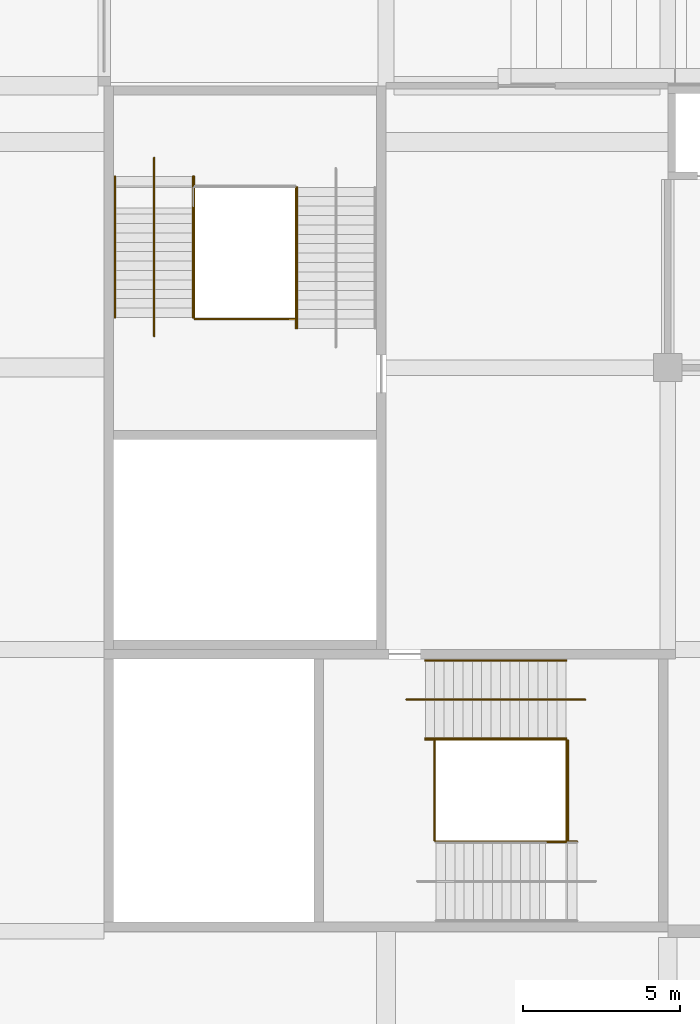
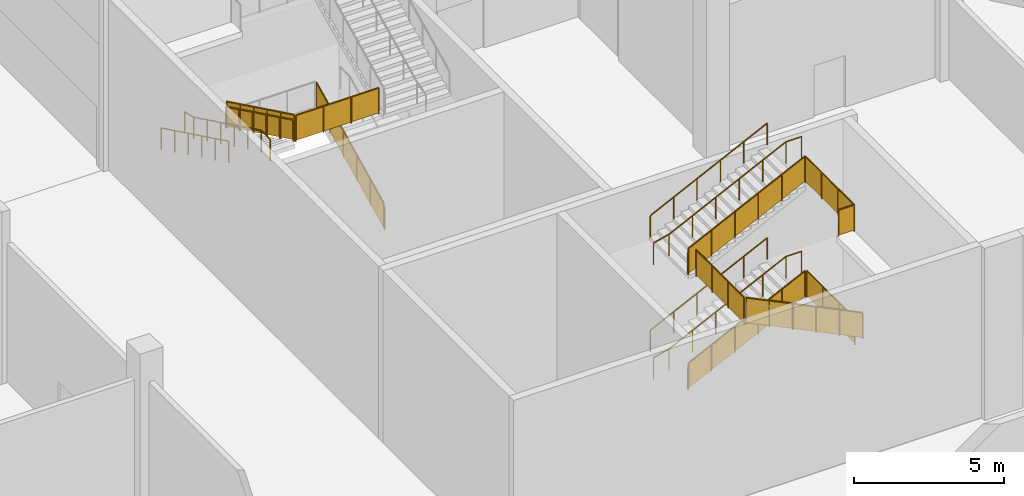
# One storey, part 59 of 92: 19 railings.
"""IFC4 building model written with IfcOpenShell, lengths in metres."""

import ifcopenshell
import ifcopenshell.guid

model = None  # the IFC model being written
_history = None  # IfcOwnerHistory: only IFC2X3 demands one
_inside = {}  # id of a spatial element -> (the spatial element, [elements in it])
_under = {}  # id of a project, library or spatial element -> (it, [spatial elements below it])
_declared = {}  # id of a project -> (the project, [libraries it declares])
_typed = {}  # id of a type object -> (the type object, [elements of that type])
_made_of = {}  # id of a material, layer set ... -> (it, [elements and type objects made of it])


def new_model(schema):
    """Start an empty IFC model of exactly this schema.

    Asked for "IFC4X3", IfcOpenShell would pick the latest addendum, in which some entities
    have other attributes; the version numbers below select the first issue.
    IFC2X3 requires an IfcOwnerHistory on every rooted entity: one is made here for all.
    """
    global model, _history
    if schema == "IFC4X3":
        model = ifcopenshell.file(schema_version=(4, 3, 0, 0))
    else:
        model = ifcopenshell.file(schema=schema)
    _inside.clear()
    _under.clear()
    _declared.clear()
    _typed.clear()
    _made_of.clear()
    _history = None
    if model.schema == "IFC2X3":
        org = make("IfcOrganization", Name="unknown")
        user = make(
            "IfcPersonAndOrganization",
            ThePerson=make("IfcPerson", FamilyName="unknown"),
            TheOrganization=org,
        )
        app = make(
            "IfcApplication",
            ApplicationDeveloper=org,
            Version="unknown",
            ApplicationFullName="unknown",
            ApplicationIdentifier="unknown",
        )
        _history = make(
            "IfcOwnerHistory",
            OwningUser=user,
            OwningApplication=app,
            ChangeAction="ADDED",
            CreationDate=0,
        )
    return model


def make(cls, **values):
    """One entity of the class cls with the attributes given. An attribute that is None is left unset."""
    return model.create_entity(
        cls, **{name: value for name, value in values.items() if value is not None}
    )


def rooted(cls, **values):
    """An entity with a GlobalId (a new one), such as an element, a storey or a relation."""
    return make(cls, GlobalId=ifcopenshell.guid.new(), OwnerHistory=_history, **values)


def si_unit(unit_type, name, prefix=None):
    """IfcSIUnit, for example si_unit("LENGTHUNIT", "METRE", prefix="MILLI")."""
    return make("IfcSIUnit", UnitType=unit_type, Prefix=prefix, Name=name)


def assignment(units):
    """IfcUnitAssignment: the units of a project."""
    return None if units is None else make("IfcUnitAssignment", Units=units)


def point(xyz):
    """IfcCartesianPoint."""
    return None if xyz is None else make("IfcCartesianPoint", Coordinates=xyz)


def direction(xyz):
    """IfcDirection."""
    return None if xyz is None else make("IfcDirection", DirectionRatios=xyz)


def frame(location, z_axis=None, x_axis=None):
    """IfcAxis2Placement3D, a coordinate frame: its origin and axes. An axis left out is left unset."""
    return make(
        "IfcAxis2Placement3D",
        Location=point(location),
        Axis=direction(z_axis),
        RefDirection=direction(x_axis),
    )


def frame_2d(location, x_axis=None):
    """IfcAxis2Placement2D, a coordinate frame in the plane: its origin and x axis."""
    return make(
        "IfcAxis2Placement2D", Location=point(location), RefDirection=direction(x_axis)
    )


def origin():
    """The frame at (0, 0, 0) with its axes left unset."""
    return frame((0.0, 0.0, 0.0))


def origin_2d():
    """The frame at (0, 0) in the plane with its x axis left unset."""
    return frame_2d((0.0, 0.0))


def place(relative_to, where):
    """IfcLocalPlacement: puts the frame where relative to a parent placement (None: the world)."""
    return make(
        "IfcLocalPlacement", PlacementRelTo=relative_to, RelativePlacement=where
    )


def context(
    kind, dimensions, precision=None, world=None, true_north=None, identifier=None
):
    """IfcGeometricRepresentationContext, for example the 3D "Model" context."""
    return make(
        "IfcGeometricRepresentationContext",
        ContextIdentifier=identifier,
        ContextType=kind,
        CoordinateSpaceDimension=dimensions,
        Precision=precision,
        WorldCoordinateSystem=world,
        TrueNorth=true_north,
    )


def subcontext(parent, identifier, kind, view, scale=None):
    """IfcGeometricRepresentationSubContext, for example "Body" below "Model"."""
    return make(
        "IfcGeometricRepresentationSubContext",
        ContextIdentifier=identifier,
        ContextType=kind,
        ParentContext=parent,
        TargetScale=scale,
        TargetView=view,
    )


def project(units=None, contexts=None):
    """IfcProject with its units and contexts."""
    return rooted(
        "IfcProject",
        Name="project",
        RepresentationContexts=contexts,
        UnitsInContext=assignment(units),
    )


def spatial(cls, under=None, at=None, **own):
    """A site, building, storey or space (cls), placed at a placement, below another one or the project."""
    s = rooted(cls, ObjectPlacement=at, **own)
    if under is not None:
        _under.setdefault(under.id(), (under, []))[1].append(s)
    return s


def polyline(points):
    """IfcPolyline through the points."""
    return make("IfcPolyline", Points=[point(p) for p in points])


def profile(cls, at=None, kind="AREA", **sizes):
    """A parametric profile (cls). Its sizes go by their IFC names, for example OverallWidth=200.0."""
    return make(cls, ProfileType=kind, Position=at, **sizes)


def circle(**sizes):
    """IfcCircleProfileDef."""
    return profile("IfcCircleProfileDef", **sizes)


def outline(outer, holes=None, kind="AREA"):
    """IfcArbitraryClosedProfileDef: a profile drawn as a closed curve; with holes, ...WithVoids."""
    if holes is None:
        return make("IfcArbitraryClosedProfileDef", ProfileType=kind, OuterCurve=outer)
    return make(
        "IfcArbitraryProfileDefWithVoids",
        ProfileType=kind,
        OuterCurve=outer,
        InnerCurves=holes,
    )


def extrude(swept, where, along, depth):
    """IfcExtrudedAreaSolid: the profile swept, set in the frame where, extruded along a direction by depth."""
    return make(
        "IfcExtrudedAreaSolid",
        SweptArea=swept,
        Position=where,
        ExtrudedDirection=direction(along),
        Depth=depth,
    )


def shape(context_of_items, identifier, shape_type, items):
    """IfcShapeRepresentation: the items that make up one representation, for example the "Body"."""
    return make(
        "IfcShapeRepresentation",
        ContextOfItems=context_of_items,
        RepresentationIdentifier=identifier,
        RepresentationType=shape_type,
        Items=items,
    )


def material(Name=None, Category=None):
    """IfcMaterial."""
    return make("IfcMaterial", Name=Name, Category=Category)


def made_of(thing, what):
    """Note that an element or type object is made of a material, layer set ...; save() writes the relation."""
    if what is not None:
        _made_of.setdefault(what.id(), (what, []))[1].append(thing)
    return thing


def type_object(cls, material=None, **own):
    """A type object (cls), such as IfcWallType, which elements share."""
    return made_of(rooted(cls, **own), material)


def element(
    cls,
    number,
    at=None,
    inside=None,
    cuts=None,
    type_object=None,
    material=None,
    context=None,
    identifier="Body",
    shape_type=None,
    held_by="IfcProductDefinitionShape",
    body=None,
    shapes=None,
    **own,
):
    """One element of the class cls, such as IfcWall. Its Tag is "e" and its number.

    at: its placement. inside: the storey or other place that contains it. cuts: it is an
    opening in that element (IfcRelVoidsElement). A single representation is given by context,
    identifier, shape_type and body (its items); several are given by shapes. held_by: the class
    of the entity that holds the representations. save() writes the other relations.
    """
    e = rooted(cls, Tag="e%d" % number, ObjectPlacement=at, **own)
    if body is not None:
        shapes = [shape(context, identifier, shape_type, body)]
    if shapes is not None:
        e.Representation = make(held_by, Representations=shapes)
    if inside is not None:
        _inside.setdefault(inside.id(), (inside, []))[1].append(e)
    if cuts is not None:
        rooted(
            "IfcRelVoidsElement", RelatingBuildingElement=cuts, RelatedOpeningElement=e
        )
    if type_object is not None:
        _typed.setdefault(type_object.id(), (type_object, []))[1].append(e)
    return made_of(e, material)


def aggregate(whole, parts):
    """IfcRelAggregates: a whole, such as a stair, and the parts it consists of."""
    return rooted("IfcRelAggregates", RelatingObject=whole, RelatedObjects=parts)


def save(model, path):
    """Write the relations noted so far, then the file.

    IfcRelAggregates (storeys below a building ...), IfcRelContainedInSpatialStructure (elements
    in a storey), IfcRelDefinesByType, IfcRelAssociatesMaterial and IfcRelDeclares: one each for
    every whole, place, type object, material and project.
    """
    for whole, parts in _under.values():
        aggregate(whole, parts)
    for where, things in _inside.values():
        rooted(
            "IfcRelContainedInSpatialStructure",
            RelatedElements=things,
            RelatingStructure=where,
        )
    for kind, things in _typed.values():
        rooted("IfcRelDefinesByType", RelatedObjects=things, RelatingType=kind)
    for what, things in _made_of.values():
        rooted("IfcRelAssociatesMaterial", RelatedObjects=things, RelatingMaterial=what)
    for by, libraries in _declared.values():
        rooted("IfcRelDeclares", RelatingContext=by, RelatedDefinitions=libraries)
    model.write(path)


model = new_model("IFC4")

# Units and contexts
model_context = context("Model", 3, precision=1e-05, world=origin(), true_north=direction((0.0, 1.0)))
body_context = subcontext(model_context, "Body", "Model", "MODEL_VIEW")
ifc_project = project(units=[si_unit("LENGTHUNIT", "METRE"), si_unit("AREAUNIT", "SQUARE_METRE"), si_unit("VOLUMEUNIT", "CUBIC_METRE"), si_unit("PLANEANGLEUNIT", "RADIAN"), si_unit("MASSUNIT", "GRAM", prefix="KILO")], contexts=[model_context])

# Site, building, storey
site_placement = place(None, origin())
site = spatial("IfcSite", under=ifc_project, at=site_placement, CompositionType="ELEMENT")
building_placement = place(site_placement, origin())
building = spatial("IfcBuilding", under=site, at=building_placement, Name="Silverbay Arena", CompositionType="ELEMENT")
storey_placement = place(building_placement, origin())
storey = spatial("IfcBuildingStorey", under=building, at=storey_placement, Name="L00", CompositionType="ELEMENT", Elevation=0.0)

# Railings
ifc_material_1 = material(Name="Stainless steel", Category="steel")
railing_type_1 = type_object("IfcRailingType", Name="Stair guard 1100", PredefinedType="GUARDRAIL", material=ifc_material_1)
railing_1_placement = place(storey_placement, frame((82.2568359375, 42.125, 0.145751953125)))
element("IfcRailing", 1, at=railing_1_placement, inside=storey, type_object=railing_type_1, Name="Stair ST-SW1 L00 to L01 flight 1 guard right", PredefinedType="GUARDRAIL", context=body_context, shape_type="SweptSolid", body=[
    extrude(circle(Radius=0.02392578125, at=origin_2d()), frame((0.0, 0.0, 1.076171875), z_axis=(0.899367854138, 0.0, 0.437192706873), x_axis=(0.0, 1.0, 0.0)), (0.0, 0.0, 1.0), 5.00341796875),
    extrude(outline(polyline([(-0.008056640625, 0.046142578125), (0.907958984375, 0.491455078125), (0.907958984375, 1.494384765625), (-0.008056640625, 1.049072265625), (-0.008056640625, 0.046142578125)])), frame((0.0, 0.0029296875, 0.0), z_axis=(0.0, -1.0, 0.0), x_axis=(1.0, 0.0, 0.0)), (0.0, 0.0, 1.0), 0.006103515625),
    extrude(outline(polyline([(-0.008056640625, 0.483642578125), (0.907958984375, 0.928955078125), (0.907958984375, 1.931884765625), (-0.008056640625, 1.486572265625), (-0.008056640625, 0.483642578125)])), frame((0.89990234375, 0.0029296875, 0.0), z_axis=(0.0, -1.0, 0.0), x_axis=(1.0, 0.0, 0.0)), (0.0, 0.0, 1.0), 0.006103515625),
    extrude(outline(polyline([(-0.008056640625, 0.921142578125), (0.907958984375, 1.366455078125), (0.907958984375, 2.369384765625), (-0.008056640625, 1.924072265625), (-0.008056640625, 0.921142578125)])), frame((1.800048828125, 0.0029296875, 0.0), z_axis=(0.0, -1.0, 0.0), x_axis=(1.0, 0.0, 0.0)), (0.0, 0.0, 1.0), 0.006103515625),
    extrude(outline(polyline([(-0.008056640625, 1.358642578125), (0.907958984375, 1.803955078125), (0.907958984375, 2.806884765625), (-0.008056640625, 2.361572265625), (-0.008056640625, 1.358642578125)])), frame((2.699951171875, 0.0029296875, 0.0), z_axis=(0.0, -1.0, 0.0), x_axis=(1.0, 0.0, 0.0)), (0.0, 0.0, 1.0), 0.006103515625),
    extrude(outline(polyline([(-0.008056640625, 1.796142578125), (0.907958984375, 2.241455078125), (0.907958984375, 3.244384765625), (-0.008056640625, 2.799072265625), (-0.008056640625, 1.796142578125)])), frame((3.60009765625, 0.0029296875, 0.0), z_axis=(0.0, -1.0, 0.0), x_axis=(1.0, 0.0, 0.0)), (0.0, 0.0, 1.0), 0.006103515625),
    extrude(circle(Radius=0.02099609375, at=origin_2d()), origin(), (0.0, 0.0, 1.0), 1.052001953125),
    extrude(circle(Radius=0.02099609375, at=origin_2d()), frame((0.89990234375, 0.0, 0.4375)), (0.0, 0.0, 1.0), 1.052001953125),
    extrude(circle(Radius=0.02099609375, at=origin_2d()), frame((1.800048828125, 0.0, 0.875)), (0.0, 0.0, 1.0), 1.052001953125),
    extrude(circle(Radius=0.02099609375, at=origin_2d()), frame((2.699951171875, 0.0, 1.3125)), (0.0, 0.0, 1.0), 1.052001953125),
    extrude(circle(Radius=0.02099609375, at=origin_2d()), frame((3.60009765625, 0.0, 1.75)), (0.0, 0.0, 1.0), 1.052001953125),
    extrude(circle(Radius=0.02099609375, at=origin_2d()), frame((4.5, 0.0, 2.1875)), (0.0, 0.0, 1.0), 1.052001953125),
])
railing_2_placement = place(storey_placement, frame((87.10009765625, 38.875, 2.479248046875)))
element("IfcRailing", 2, at=railing_2_placement, inside=storey, type_object=railing_type_1, Name="Stair ST-SW1 L00 to L01 flight 2 guard left", PredefinedType="GUARDRAIL", context=body_context, shape_type="SweptSolid", body=[
    extrude(circle(Radius=0.02392578125, at=origin_2d()), frame((0.0, 0.0, 1.076171875), z_axis=(-0.899367854138, 0.0, 0.437192706873), x_axis=(0.0, -1.0, 0.0)), (0.0, 0.0, 1.0), 5.00341796875),
    extrude(outline(polyline([(-0.008056640625, 0.046142578125), (0.907958984375, 0.491455078125), (0.907958984375, 1.494384765625), (-0.008056640625, 1.049072265625), (-0.008056640625, 0.046142578125)])), frame((0.0, -0.0029296875, 0.0), z_axis=(0.0, 1.0, 0.0), x_axis=(-1.0, 0.0, 0.0)), (0.0, 0.0, 1.0), 0.006103515625),
    extrude(outline(polyline([(-0.008056640625, 0.483642578125), (0.907958984375, 0.928955078125), (0.907958984375, 1.931884765625), (-0.008056640625, 1.486572265625), (-0.008056640625, 0.483642578125)])), frame((-0.89990234375, -0.0029296875, 0.0), z_axis=(0.0, 1.0, 0.0), x_axis=(-1.0, 0.0, 0.0)), (0.0, 0.0, 1.0), 0.006103515625),
    extrude(outline(polyline([(-0.008056640625, 0.921142578125), (0.907958984375, 1.366455078125), (0.907958984375, 2.369384765625), (-0.008056640625, 1.924072265625), (-0.008056640625, 0.921142578125)])), frame((-1.800048828125, -0.0029296875, 0.0), z_axis=(0.0, 1.0, 0.0), x_axis=(-1.0, 0.0, 0.0)), (0.0, 0.0, 1.0), 0.006103515625),
    extrude(outline(polyline([(-0.008056640625, 1.358642578125), (0.907958984375, 1.803955078125), (0.907958984375, 2.806884765625), (-0.008056640625, 2.361572265625), (-0.008056640625, 1.358642578125)])), frame((-2.699951171875, -0.0029296875, 0.0), z_axis=(0.0, 1.0, 0.0), x_axis=(-1.0, 0.0, 0.0)), (0.0, 0.0, 1.0), 0.006103515625),
    extrude(outline(polyline([(-0.008056640625, 1.796142578125), (0.907958984375, 2.241455078125), (0.907958984375, 3.244384765625), (-0.008056640625, 2.799072265625), (-0.008056640625, 1.796142578125)])), frame((-3.60009765625, -0.0029296875, 0.0), z_axis=(0.0, 1.0, 0.0), x_axis=(-1.0, 0.0, 0.0)), (0.0, 0.0, 1.0), 0.006103515625),
    extrude(circle(Radius=0.02099609375, at=origin_2d()), origin(), (0.0, 0.0, 1.0), 1.052001953125),
    extrude(circle(Radius=0.02099609375, at=origin_2d()), frame((-0.89990234375, 0.0, 0.4375)), (0.0, 0.0, 1.0), 1.052001953125),
    extrude(circle(Radius=0.02099609375, at=origin_2d()), frame((-1.800048828125, 0.0, 0.875)), (0.0, 0.0, 1.0), 1.052001953125),
    extrude(circle(Radius=0.02099609375, at=origin_2d()), frame((-2.699951171875, 0.0, 1.3125)), (0.0, 0.0, 1.0), 1.052001953125),
    extrude(circle(Radius=0.02099609375, at=origin_2d()), frame((-3.60009765625, 0.0, 1.75)), (0.0, 0.0, 1.0), 1.052001953125),
    extrude(circle(Radius=0.02099609375, at=origin_2d()), frame((-4.5, 0.0, 2.1875)), (0.0, 0.0, 1.0), 1.052001953125),
])
railing_3_placement = place(storey_placement, frame((82.2568359375, 42.125, 4.8125)))
element("IfcRailing", 3, at=railing_3_placement, inside=storey, type_object=railing_type_1, Name="Stair ST-SW1 L00 to L01 flight 3 guard right", PredefinedType="GUARDRAIL", context=body_context, shape_type="SweptSolid", body=[
    extrude(circle(Radius=0.02392578125, at=origin_2d()), frame((0.0, 0.0, 1.076171875), z_axis=(0.899367854138, 0.0, 0.437192706873), x_axis=(0.0, 1.0, 0.0)), (0.0, 0.0, 1.0), 5.00341796875),
    extrude(outline(polyline([(-0.008056640625, 0.046142578125), (0.907958984375, 0.491455078125), (0.907958984375, 1.494384765625), (-0.008056640625, 1.049072265625), (-0.008056640625, 0.046142578125)])), frame((0.0, 0.0029296875, 0.0), z_axis=(0.0, -1.0, 0.0), x_axis=(1.0, 0.0, 0.0)), (0.0, 0.0, 1.0), 0.006103515625),
    extrude(outline(polyline([(-0.008056640625, 0.483642578125), (0.907958984375, 0.928955078125), (0.907958984375, 1.931884765625), (-0.008056640625, 1.486572265625), (-0.008056640625, 0.483642578125)])), frame((0.89990234375, 0.0029296875, 0.0), z_axis=(0.0, -1.0, 0.0), x_axis=(1.0, 0.0, 0.0)), (0.0, 0.0, 1.0), 0.006103515625),
    extrude(outline(polyline([(-0.008056640625, 0.921142578125), (0.907958984375, 1.366455078125), (0.907958984375, 2.369384765625), (-0.008056640625, 1.924072265625), (-0.008056640625, 0.921142578125)])), frame((1.800048828125, 0.0029296875, 0.0), z_axis=(0.0, -1.0, 0.0), x_axis=(1.0, 0.0, 0.0)), (0.0, 0.0, 1.0), 0.006103515625),
    extrude(outline(polyline([(-0.008056640625, 1.358642578125), (0.907958984375, 1.803955078125), (0.907958984375, 2.806884765625), (-0.008056640625, 2.361572265625), (-0.008056640625, 1.358642578125)])), frame((2.699951171875, 0.0029296875, 0.0), z_axis=(0.0, -1.0, 0.0), x_axis=(1.0, 0.0, 0.0)), (0.0, 0.0, 1.0), 0.006103515625),
    extrude(outline(polyline([(-0.008056640625, 1.796142578125), (0.907958984375, 2.241455078125), (0.907958984375, 3.244384765625), (-0.008056640625, 2.799072265625), (-0.008056640625, 1.796142578125)])), frame((3.60009765625, 0.0029296875, 0.0), z_axis=(0.0, -1.0, 0.0), x_axis=(1.0, 0.0, 0.0)), (0.0, 0.0, 1.0), 0.006103515625),
    extrude(circle(Radius=0.02099609375, at=origin_2d()), origin(), (0.0, 0.0, 1.0), 1.052001953125),
    extrude(circle(Radius=0.02099609375, at=origin_2d()), frame((0.89990234375, 0.0, 0.4375)), (0.0, 0.0, 1.0), 1.052001953125),
    extrude(circle(Radius=0.02099609375, at=origin_2d()), frame((1.800048828125, 0.0, 0.875)), (0.0, 0.0, 1.0), 1.052001953125),
    extrude(circle(Radius=0.02099609375, at=origin_2d()), frame((2.699951171875, 0.0, 1.3125)), (0.0, 0.0, 1.0), 1.052001953125),
    extrude(circle(Radius=0.02099609375, at=origin_2d()), frame((3.60009765625, 0.0, 1.75)), (0.0, 0.0, 1.0), 1.052001953125),
    extrude(circle(Radius=0.02099609375, at=origin_2d()), frame((4.5, 0.0, 2.1875)), (0.0, 0.0, 1.0), 1.052001953125),
])
for number, where, name in (
    (4, (86.806884765625, 42.10009765625, 2.333251953125), "Stair ST-SW1 L00 to L01 landing 1 guard"),
    (5, (82.550048828125, 42.10009765625, 4.666748046875), "Stair ST-SW1 L00 to L01 landing 2 guard"),
):
    element("IfcRailing", number, at=place(storey_placement, frame(where)), inside=storey, type_object=railing_type_1, Name=name, PredefinedType="GUARDRAIL", context=body_context, shape_type="SweptSolid", body=[
        extrude(circle(Radius=0.02392578125, at=origin_2d()), frame((0.0, 0.0, 1.076171875), z_axis=(0.0, -1.0, 0.0), x_axis=(1.0, 0.0, 0.0)), (0.0, 0.0, 1.0), 3.2001953125),
        extrude(outline(polyline([(-0.008056640625, 0.050048828125), (1.07470703125, 0.050048828125), (1.07470703125, 1.052978515625), (-0.008056640625, 1.052978515625), (-0.008056640625, 0.050048828125)])), frame((0.0029296875, 0.0, 0.0), z_axis=(-1.0, 0.0, 0.0), x_axis=(0.0, -1.0, 0.0)), (0.0, 0.0, 1.0), 0.006103515625),
        extrude(outline(polyline([(-0.008056640625, 0.050048828125), (1.07470703125, 0.050048828125), (1.07470703125, 1.052978515625), (-0.008056640625, 1.052978515625), (-0.008056640625, 0.050048828125)])), frame((0.0029296875, -1.066650390625, 0.0), z_axis=(-1.0, 0.0, 0.0), x_axis=(0.0, -1.0, 0.0)), (0.0, 0.0, 1.0), 0.006103515625),
        extrude(outline(polyline([(-0.008056640625, 0.050048828125), (1.07470703125, 0.050048828125), (1.07470703125, 1.052978515625), (-0.008056640625, 1.052978515625), (-0.008056640625, 0.050048828125)])), frame((0.0029296875, -2.133544921875, 0.0), z_axis=(-1.0, 0.0, 0.0), x_axis=(0.0, -1.0, 0.0)), (0.0, 0.0, 1.0), 0.006103515625),
        extrude(circle(Radius=0.02099609375, at=origin_2d()), origin(), (0.0, 0.0, 1.0), 1.052001953125),
        extrude(circle(Radius=0.02099609375, at=origin_2d()), frame((0.0, -1.066650390625, 0.0)), (0.0, 0.0, 1.0), 1.052001953125),
        extrude(circle(Radius=0.02099609375, at=origin_2d()), frame((0.0, -2.133544921875, 0.0)), (0.0, 0.0, 1.0), 1.052001953125),
        extrude(circle(Radius=0.02099609375, at=origin_2d()), frame((0.0, -3.2001953125, 0.0)), (0.0, 0.0, 1.0), 1.052001953125),
    ])
railing_4_placement = place(storey_placement, frame((86.14990234375, 38.85009765625, 7.0)))
element("IfcRailing", 6, at=railing_4_placement, inside=storey, type_object=railing_type_1, Name="Stair ST-SW1 L00 to L01 landing 3 guard", PredefinedType="GUARDRAIL", context=body_context, shape_type="SweptSolid", body=[
    extrude(circle(Radius=0.02392578125, at=origin_2d()), frame((0.0, 0.0, 1.076171875), z_axis=(1.0, 0.0, 0.0), x_axis=(0.0, 1.0, 0.0)), (0.0, 0.0, 1.0), 0.60693359375),
    extrude(outline(polyline([(-0.008056640625, 0.050048828125), (0.614990234375, 0.050048828125), (0.614990234375, 1.052978515625), (-0.008056640625, 1.052978515625), (-0.008056640625, 0.050048828125)])), frame((0.0, 0.0029296875, 0.0), z_axis=(0.0, -1.0, 0.0), x_axis=(1.0, 0.0, 0.0)), (0.0, 0.0, 1.0), 0.006103515625),
    extrude(circle(Radius=0.02392578125, at=origin_2d()), frame((0.60693359375, 0.0, 1.076171875), z_axis=(0.0, 1.0, 0.0), x_axis=(-1.0, 0.0, 0.0)), (0.0, 0.0, 1.0), 3.25),
    extrude(outline(polyline([(-0.008056640625, 0.050048828125), (1.09130859375, 0.050048828125), (1.09130859375, 1.052978515625), (-0.008056640625, 1.052978515625), (-0.008056640625, 0.050048828125)])), frame((0.60400390625, 0.0, 0.0), z_axis=(1.0, 0.0, 0.0), x_axis=(0.0, 1.0, 0.0)), (0.0, 0.0, 1.0), 0.006103515625),
    extrude(outline(polyline([(-0.008056640625, 0.050048828125), (1.09130859375, 0.050048828125), (1.09130859375, 1.052978515625), (-0.008056640625, 1.052978515625), (-0.008056640625, 0.050048828125)])), frame((0.60400390625, 1.083251953125, 0.0), z_axis=(1.0, 0.0, 0.0), x_axis=(0.0, 1.0, 0.0)), (0.0, 0.0, 1.0), 0.006103515625),
    extrude(outline(polyline([(-0.008056640625, 0.050048828125), (1.09130859375, 0.050048828125), (1.09130859375, 1.052978515625), (-0.008056640625, 1.052978515625), (-0.008056640625, 0.050048828125)])), frame((0.60400390625, 2.166748046875, 0.0), z_axis=(1.0, 0.0, 0.0), x_axis=(0.0, 1.0, 0.0)), (0.0, 0.0, 1.0), 0.006103515625),
    extrude(circle(Radius=0.02099609375, at=origin_2d()), origin(), (0.0, 0.0, 1.0), 1.052001953125),
    extrude(circle(Radius=0.02099609375, at=origin_2d()), frame((0.60693359375, 0.0, 0.0)), (0.0, 0.0, 1.0), 1.052001953125),
    extrude(circle(Radius=0.02099609375, at=origin_2d()), frame((0.60693359375, 1.083251953125, 0.0)), (0.0, 0.0, 1.0), 1.052001953125),
    extrude(circle(Radius=0.02099609375, at=origin_2d()), frame((0.60693359375, 2.166748046875, 0.0)), (0.0, 0.0, 1.0), 1.052001953125),
    extrude(circle(Radius=0.02099609375, at=origin_2d()), frame((0.60693359375, 3.25, 0.0)), (0.0, 0.0, 1.0), 1.052001953125),
])
railing_5_placement = place(storey_placement, frame((78.125, 55.2568359375, 0.145751953125)))
element("IfcRailing", 7, at=railing_5_placement, inside=storey, type_object=railing_type_1, Name="Stair ST-SW2 L00 to L01 flight 1 guard right", PredefinedType="GUARDRAIL", context=body_context, shape_type="SweptSolid", body=[
    extrude(circle(Radius=0.02392578125, at=origin_2d()), frame((0.0, 0.0, 1.076171875), z_axis=(0.0, 0.899367854138, 0.437192706873), x_axis=(-1.0, 0.0, 0.0)), (0.0, 0.0, 1.0), 5.00341796875),
    extrude(outline(polyline([(-0.008056640625, 0.046142578125), (0.907958984375, 0.491455078125), (0.907958984375, 1.494384765625), (-0.008056640625, 1.049072265625), (-0.008056640625, 0.046142578125)])), frame((-0.0029296875, 0.0, 0.0), z_axis=(1.0, 0.0, 0.0), x_axis=(0.0, 1.0, 0.0)), (0.0, 0.0, 1.0), 0.006103515625),
    extrude(outline(polyline([(-0.008056640625, 0.483642578125), (0.907958984375, 0.928955078125), (0.907958984375, 1.931884765625), (-0.008056640625, 1.486572265625), (-0.008056640625, 0.483642578125)])), frame((-0.0029296875, 0.89990234375, 0.0), z_axis=(1.0, 0.0, 0.0), x_axis=(0.0, 1.0, 0.0)), (0.0, 0.0, 1.0), 0.006103515625),
    extrude(outline(polyline([(-0.008056640625, 0.921142578125), (0.907958984375, 1.366455078125), (0.907958984375, 2.369384765625), (-0.008056640625, 1.924072265625), (-0.008056640625, 0.921142578125)])), frame((-0.0029296875, 1.800048828125, 0.0), z_axis=(1.0, 0.0, 0.0), x_axis=(0.0, 1.0, 0.0)), (0.0, 0.0, 1.0), 0.006103515625),
    extrude(outline(polyline([(-0.008056640625, 1.358642578125), (0.907958984375, 1.803955078125), (0.907958984375, 2.806884765625), (-0.008056640625, 2.361572265625), (-0.008056640625, 1.358642578125)])), frame((-0.0029296875, 2.699951171875, 0.0), z_axis=(1.0, 0.0, 0.0), x_axis=(0.0, 1.0, 0.0)), (0.0, 0.0, 1.0), 0.006103515625),
    extrude(outline(polyline([(-0.008056640625, 1.796142578125), (0.907958984375, 2.241455078125), (0.907958984375, 3.244384765625), (-0.008056640625, 2.799072265625), (-0.008056640625, 1.796142578125)])), frame((-0.0029296875, 3.60009765625, 0.0), z_axis=(1.0, 0.0, 0.0), x_axis=(0.0, 1.0, 0.0)), (0.0, 0.0, 1.0), 0.006103515625),
    extrude(circle(Radius=0.02099609375, at=origin_2d()), origin(), (0.0, 0.0, 1.0), 1.052001953125),
    extrude(circle(Radius=0.02099609375, at=origin_2d()), frame((0.0, 0.89990234375, 0.4375)), (0.0, 0.0, 1.0), 1.052001953125),
    extrude(circle(Radius=0.02099609375, at=origin_2d()), frame((0.0, 1.800048828125, 0.875)), (0.0, 0.0, 1.0), 1.052001953125),
    extrude(circle(Radius=0.02099609375, at=origin_2d()), frame((0.0, 2.699951171875, 1.3125)), (0.0, 0.0, 1.0), 1.052001953125),
    extrude(circle(Radius=0.02099609375, at=origin_2d()), frame((0.0, 3.60009765625, 1.75)), (0.0, 0.0, 1.0), 1.052001953125),
    extrude(circle(Radius=0.02099609375, at=origin_2d()), frame((0.0, 4.5, 2.1875)), (0.0, 0.0, 1.0), 1.052001953125),
])
railing_6_placement = place(storey_placement, frame((74.875, 60.10009765625, 2.479248046875)))
element("IfcRailing", 8, at=railing_6_placement, inside=storey, type_object=railing_type_1, Name="Stair ST-SW2 L00 to L01 flight 2 guard left", PredefinedType="GUARDRAIL", context=body_context, shape_type="SweptSolid", body=[
    extrude(circle(Radius=0.02392578125, at=origin_2d()), frame((0.0, 0.0, 1.076171875), z_axis=(0.0, -0.899367854138, 0.437192706873), x_axis=(1.0, 0.0, 0.0)), (0.0, 0.0, 1.0), 5.00341796875),
    extrude(outline(polyline([(-0.008056640625, 0.046142578125), (0.907958984375, 0.491455078125), (0.907958984375, 1.494384765625), (-0.008056640625, 1.049072265625), (-0.008056640625, 0.046142578125)])), frame((0.0029296875, 0.0, 0.0), z_axis=(-1.0, 0.0, 0.0), x_axis=(0.0, -1.0, 0.0)), (0.0, 0.0, 1.0), 0.006103515625),
    extrude(outline(polyline([(-0.008056640625, 0.483642578125), (0.907958984375, 0.928955078125), (0.907958984375, 1.931884765625), (-0.008056640625, 1.486572265625), (-0.008056640625, 0.483642578125)])), frame((0.0029296875, -0.89990234375, 0.0), z_axis=(-1.0, 0.0, 0.0), x_axis=(0.0, -1.0, 0.0)), (0.0, 0.0, 1.0), 0.006103515625),
    extrude(outline(polyline([(-0.008056640625, 0.921142578125), (0.907958984375, 1.366455078125), (0.907958984375, 2.369384765625), (-0.008056640625, 1.924072265625), (-0.008056640625, 0.921142578125)])), frame((0.0029296875, -1.800048828125, 0.0), z_axis=(-1.0, 0.0, 0.0), x_axis=(0.0, -1.0, 0.0)), (0.0, 0.0, 1.0), 0.006103515625),
    extrude(outline(polyline([(-0.008056640625, 1.358642578125), (0.907958984375, 1.803955078125), (0.907958984375, 2.806884765625), (-0.008056640625, 2.361572265625), (-0.008056640625, 1.358642578125)])), frame((0.0029296875, -2.699951171875, 0.0), z_axis=(-1.0, 0.0, 0.0), x_axis=(0.0, -1.0, 0.0)), (0.0, 0.0, 1.0), 0.006103515625),
    extrude(outline(polyline([(-0.008056640625, 1.796142578125), (0.907958984375, 2.241455078125), (0.907958984375, 3.244384765625), (-0.008056640625, 2.799072265625), (-0.008056640625, 1.796142578125)])), frame((0.0029296875, -3.60009765625, 0.0), z_axis=(-1.0, 0.0, 0.0), x_axis=(0.0, -1.0, 0.0)), (0.0, 0.0, 1.0), 0.006103515625),
    extrude(circle(Radius=0.02099609375, at=origin_2d()), origin(), (0.0, 0.0, 1.0), 1.052001953125),
    extrude(circle(Radius=0.02099609375, at=origin_2d()), frame((0.0, -0.89990234375, 0.4375)), (0.0, 0.0, 1.0), 1.052001953125),
    extrude(circle(Radius=0.02099609375, at=origin_2d()), frame((0.0, -1.800048828125, 0.875)), (0.0, 0.0, 1.0), 1.052001953125),
    extrude(circle(Radius=0.02099609375, at=origin_2d()), frame((0.0, -2.699951171875, 1.3125)), (0.0, 0.0, 1.0), 1.052001953125),
    extrude(circle(Radius=0.02099609375, at=origin_2d()), frame((0.0, -3.60009765625, 1.75)), (0.0, 0.0, 1.0), 1.052001953125),
    extrude(circle(Radius=0.02099609375, at=origin_2d()), frame((0.0, -4.5, 2.1875)), (0.0, 0.0, 1.0), 1.052001953125),
])
railing_7_placement = place(storey_placement, frame((78.10009765625, 55.550048828125, 4.666748046875)))
element("IfcRailing", 9, at=railing_7_placement, inside=storey, type_object=railing_type_1, Name="Stair ST-SW2 L00 to L01 landing 2 guard", PredefinedType="GUARDRAIL", context=body_context, shape_type="SweptSolid", body=[
    extrude(circle(Radius=0.02392578125, at=origin_2d()), frame((0.0, 0.0, 1.076171875), z_axis=(-1.0, 0.0, 0.0), x_axis=(0.0, -1.0, 0.0)), (0.0, 0.0, 1.0), 3.2001953125),
    extrude(outline(polyline([(-0.008056640625, 0.050048828125), (1.07470703125, 0.050048828125), (1.07470703125, 1.052978515625), (-0.008056640625, 1.052978515625), (-0.008056640625, 0.050048828125)])), frame((0.0, -0.0029296875, 0.0), z_axis=(0.0, 1.0, 0.0), x_axis=(-1.0, 0.0, 0.0)), (0.0, 0.0, 1.0), 0.006103515625),
    extrude(outline(polyline([(-0.008056640625, 0.050048828125), (1.07470703125, 0.050048828125), (1.07470703125, 1.052978515625), (-0.008056640625, 1.052978515625), (-0.008056640625, 0.050048828125)])), frame((-1.066650390625, -0.0029296875, 0.0), z_axis=(0.0, 1.0, 0.0), x_axis=(-1.0, 0.0, 0.0)), (0.0, 0.0, 1.0), 0.006103515625),
    extrude(outline(polyline([(-0.008056640625, 0.050048828125), (1.07470703125, 0.050048828125), (1.07470703125, 1.052978515625), (-0.008056640625, 1.052978515625), (-0.008056640625, 0.050048828125)])), frame((-2.133544921875, -0.0029296875, 0.0), z_axis=(0.0, 1.0, 0.0), x_axis=(-1.0, 0.0, 0.0)), (0.0, 0.0, 1.0), 0.006103515625),
    extrude(circle(Radius=0.02099609375, at=origin_2d()), origin(), (0.0, 0.0, 1.0), 1.052001953125),
    extrude(circle(Radius=0.02099609375, at=origin_2d()), frame((-1.066650390625, 0.0, 0.0)), (0.0, 0.0, 1.0), 1.052001953125),
    extrude(circle(Radius=0.02099609375, at=origin_2d()), frame((-2.133544921875, 0.0, 0.0)), (0.0, 0.0, 1.0), 1.052001953125),
    extrude(circle(Radius=0.02099609375, at=origin_2d()), frame((-3.2001953125, 0.0, 0.0)), (0.0, 0.0, 1.0), 1.052001953125),
])
ifc_material_2 = material(Name="Stainless steel", Category="steel")
railing_type_2 = type_object("IfcRailingType", Name="Stair handrail 900", PredefinedType="HANDRAIL", material=ifc_material_2)
for number, where, name in (
    (10, (82.2568359375, 44.64990234375, 0.145751953125), "Stair ST-SW1 L00 to L01 flight 1 handrail left"),
    (11, (82.2568359375, 42.1640625, 0.145751953125), "Stair ST-SW1 L00 to L01 flight 1 handrail right"),
):
    element("IfcRailing", number, at=place(storey_placement, frame(where)), inside=storey, type_object=railing_type_2, Name=name, PredefinedType="HANDRAIL", context=body_context, shape_type="SweptSolid", body=[
        extrude(circle(Radius=0.02392578125, at=origin_2d()), frame((0.0, 0.0, 0.8759765625), z_axis=(0.899367854138, 0.0, 0.437192706873), x_axis=(0.0, 1.0, 0.0)), (0.0, 0.0, 1.0), 5.00341796875),
        extrude(circle(Radius=0.02099609375, at=origin_2d()), origin(), (0.0, 0.0, 1.0), 0.851806640625),
        extrude(circle(Radius=0.02099609375, at=origin_2d()), frame((0.89990234375, 0.0, 0.4375)), (0.0, 0.0, 1.0), 0.851806640625),
        extrude(circle(Radius=0.02099609375, at=origin_2d()), frame((1.800048828125, 0.0, 0.875)), (0.0, 0.0, 1.0), 0.851806640625),
        extrude(circle(Radius=0.02099609375, at=origin_2d()), frame((2.699951171875, 0.0, 1.3125)), (0.0, 0.0, 1.0), 0.851806640625),
        extrude(circle(Radius=0.02099609375, at=origin_2d()), frame((3.60009765625, 0.0, 1.75)), (0.0, 0.0, 1.0), 0.851806640625),
        extrude(circle(Radius=0.02099609375, at=origin_2d()), frame((4.5, 0.0, 2.1875)), (0.0, 0.0, 1.0), 0.851806640625),
    ])
railing_8_placement = place(storey_placement, frame((81.656982421875, 43.39990234375, 0.0)))
element("IfcRailing", 12, at=railing_8_placement, inside=storey, type_object=railing_type_2, Name="Stair ST-SW1 L00 to L01 flight 1 central handrail", PredefinedType="HANDRAIL", context=body_context, shape_type="SweptSolid", body=[
    extrude(circle(Radius=0.02392578125, at=origin_2d()), frame((0.0, 0.0, 0.8759765625), z_axis=(0.971726487806, 0.0, 0.23610936639), x_axis=(0.0, 1.0, 0.0)), (0.0, 0.0, 1.0), 0.6171875),
    extrude(circle(Radius=0.02392578125, at=origin_2d()), frame((0.599853515625, 0.0, 1.021484375), z_axis=(0.899367854138, 0.0, 0.437192706873), x_axis=(0.0, 1.0, 0.0)), (0.0, 0.0, 1.0), 5.00341796875),
    extrude(circle(Radius=0.02392578125, at=origin_2d()), frame((5.099853515625, 0.0, 3.208984375), z_axis=(1.0, 0.0, 0.0), x_axis=(0.0, 1.0, 0.0)), (0.0, 0.0, 1.0), 0.60009765625),
    extrude(circle(Radius=0.02099609375, at=origin_2d()), origin(), (0.0, 0.0, 1.0), 0.851806640625),
    extrude(circle(Radius=0.02099609375, at=origin_2d()), frame((0.599853515625, 0.0, 0.145751953125)), (0.0, 0.0, 1.0), 0.851806640625),
    extrude(circle(Radius=0.02099609375, at=origin_2d()), frame((1.499755859375, 0.0, 0.583251953125)), (0.0, 0.0, 1.0), 0.851806640625),
    extrude(circle(Radius=0.02099609375, at=origin_2d()), frame((2.39990234375, 0.0, 1.020751953125)), (0.0, 0.0, 1.0), 0.851806640625),
    extrude(circle(Radius=0.02099609375, at=origin_2d()), frame((3.2998046875, 0.0, 1.458251953125)), (0.0, 0.0, 1.0), 0.851806640625),
    extrude(circle(Radius=0.02099609375, at=origin_2d()), frame((4.199951171875, 0.0, 1.895751953125)), (0.0, 0.0, 1.0), 0.851806640625),
    extrude(circle(Radius=0.02099609375, at=origin_2d()), frame((5.099853515625, 0.0, 2.333251953125)), (0.0, 0.0, 1.0), 0.851806640625),
    extrude(circle(Radius=0.02099609375, at=origin_2d()), frame((5.699951171875, 0.0, 2.333251953125)), (0.0, 0.0, 1.0), 0.851806640625),
])
for number, where, name in (
    (13, (82.2568359375, 44.64990234375, 4.8125), "Stair ST-SW1 L00 to L01 flight 3 handrail left"),
    (14, (82.2568359375, 42.1640625, 4.8125), "Stair ST-SW1 L00 to L01 flight 3 handrail right"),
):
    element("IfcRailing", number, at=place(storey_placement, frame(where)), inside=storey, type_object=railing_type_2, Name=name, PredefinedType="HANDRAIL", context=body_context, shape_type="SweptSolid", body=[
        extrude(circle(Radius=0.02392578125, at=origin_2d()), frame((0.0, 0.0, 0.8759765625), z_axis=(0.899367854138, 0.0, 0.437192706873), x_axis=(0.0, 1.0, 0.0)), (0.0, 0.0, 1.0), 5.00341796875),
        extrude(circle(Radius=0.02099609375, at=origin_2d()), origin(), (0.0, 0.0, 1.0), 0.851806640625),
        extrude(circle(Radius=0.02099609375, at=origin_2d()), frame((0.89990234375, 0.0, 0.4375)), (0.0, 0.0, 1.0), 0.851806640625),
        extrude(circle(Radius=0.02099609375, at=origin_2d()), frame((1.800048828125, 0.0, 0.875)), (0.0, 0.0, 1.0), 0.851806640625),
        extrude(circle(Radius=0.02099609375, at=origin_2d()), frame((2.699951171875, 0.0, 1.3125)), (0.0, 0.0, 1.0), 0.851806640625),
        extrude(circle(Radius=0.02099609375, at=origin_2d()), frame((3.60009765625, 0.0, 1.75)), (0.0, 0.0, 1.0), 0.851806640625),
        extrude(circle(Radius=0.02099609375, at=origin_2d()), frame((4.5, 0.0, 2.1875)), (0.0, 0.0, 1.0), 0.851806640625),
    ])
railing_9_placement = place(storey_placement, frame((81.656982421875, 43.39990234375, 4.666748046875)))
element("IfcRailing", 15, at=railing_9_placement, inside=storey, type_object=railing_type_2, Name="Stair ST-SW1 L00 to L01 flight 3 central handrail", PredefinedType="HANDRAIL", context=body_context, shape_type="SweptSolid", body=[
    extrude(circle(Radius=0.02392578125, at=origin_2d()), frame((0.0, 0.0, 0.8759765625), z_axis=(0.971726487806, 0.0, 0.23610936639), x_axis=(0.0, 1.0, 0.0)), (0.0, 0.0, 1.0), 0.6171875),
    extrude(circle(Radius=0.02392578125, at=origin_2d()), frame((0.599853515625, 0.0, 1.021484375), z_axis=(0.899367854138, 0.0, 0.437192706873), x_axis=(0.0, 1.0, 0.0)), (0.0, 0.0, 1.0), 5.00341796875),
    extrude(circle(Radius=0.02392578125, at=origin_2d()), frame((5.099853515625, 0.0, 3.208984375), z_axis=(1.0, 0.0, 0.0), x_axis=(0.0, 1.0, 0.0)), (0.0, 0.0, 1.0), 0.60009765625),
    extrude(circle(Radius=0.02099609375, at=origin_2d()), origin(), (0.0, 0.0, 1.0), 0.851806640625),
    extrude(circle(Radius=0.02099609375, at=origin_2d()), frame((0.599853515625, 0.0, 0.145751953125)), (0.0, 0.0, 1.0), 0.851806640625),
    extrude(circle(Radius=0.02099609375, at=origin_2d()), frame((1.499755859375, 0.0, 0.583251953125)), (0.0, 0.0, 1.0), 0.851806640625),
    extrude(circle(Radius=0.02099609375, at=origin_2d()), frame((2.39990234375, 0.0, 1.020751953125)), (0.0, 0.0, 1.0), 0.851806640625),
    extrude(circle(Radius=0.02099609375, at=origin_2d()), frame((3.2998046875, 0.0, 1.458251953125)), (0.0, 0.0, 1.0), 0.851806640625),
    extrude(circle(Radius=0.02099609375, at=origin_2d()), frame((4.199951171875, 0.0, 1.895751953125)), (0.0, 0.0, 1.0), 0.851806640625),
    extrude(circle(Radius=0.02099609375, at=origin_2d()), frame((5.099853515625, 0.0, 2.333251953125)), (0.0, 0.0, 1.0), 0.851806640625),
    extrude(circle(Radius=0.02099609375, at=origin_2d()), frame((5.699951171875, 0.0, 2.333251953125)), (0.0, 0.0, 1.0), 0.851806640625),
])
railing_10_placement = place(storey_placement, frame((78.1640625, 55.2568359375, 0.145751953125)))
element("IfcRailing", 16, at=railing_10_placement, inside=storey, type_object=railing_type_2, Name="Stair ST-SW2 L00 to L01 flight 1 handrail right", PredefinedType="HANDRAIL", context=body_context, shape_type="SweptSolid", body=[
    extrude(circle(Radius=0.02392578125, at=origin_2d()), frame((0.0, 0.0, 0.8759765625), z_axis=(0.0, 0.899367854138, 0.437192706873), x_axis=(-1.0, 0.0, 0.0)), (0.0, 0.0, 1.0), 5.00341796875),
    extrude(circle(Radius=0.02099609375, at=origin_2d()), origin(), (0.0, 0.0, 1.0), 0.851806640625),
    extrude(circle(Radius=0.02099609375, at=origin_2d()), frame((0.0, 0.89990234375, 0.4375)), (0.0, 0.0, 1.0), 0.851806640625),
    extrude(circle(Radius=0.02099609375, at=origin_2d()), frame((0.0, 1.800048828125, 0.875)), (0.0, 0.0, 1.0), 0.851806640625),
    extrude(circle(Radius=0.02099609375, at=origin_2d()), frame((0.0, 2.699951171875, 1.3125)), (0.0, 0.0, 1.0), 0.851806640625),
    extrude(circle(Radius=0.02099609375, at=origin_2d()), frame((0.0, 3.60009765625, 1.75)), (0.0, 0.0, 1.0), 0.851806640625),
    extrude(circle(Radius=0.02099609375, at=origin_2d()), frame((0.0, 4.5, 2.1875)), (0.0, 0.0, 1.0), 0.851806640625),
])
for number, where, name in (
    (17, (74.8359375, 60.10009765625, 2.479248046875), "Stair ST-SW2 L00 to L01 flight 2 handrail left"),
    (18, (72.35009765625, 60.10009765625, 2.479248046875), "Stair ST-SW2 L00 to L01 flight 2 handrail right"),
):
    element("IfcRailing", number, at=place(storey_placement, frame(where)), inside=storey, type_object=railing_type_2, Name=name, PredefinedType="HANDRAIL", context=body_context, shape_type="SweptSolid", body=[
        extrude(circle(Radius=0.02392578125, at=origin_2d()), frame((0.0, 0.0, 0.8759765625), z_axis=(0.0, -0.899367854138, 0.437192706873), x_axis=(1.0, 0.0, 0.0)), (0.0, 0.0, 1.0), 5.00341796875),
        extrude(circle(Radius=0.02099609375, at=origin_2d()), origin(), (0.0, 0.0, 1.0), 0.851806640625),
        extrude(circle(Radius=0.02099609375, at=origin_2d()), frame((0.0, -0.89990234375, 0.4375)), (0.0, 0.0, 1.0), 0.851806640625),
        extrude(circle(Radius=0.02099609375, at=origin_2d()), frame((0.0, -1.800048828125, 0.875)), (0.0, 0.0, 1.0), 0.851806640625),
        extrude(circle(Radius=0.02099609375, at=origin_2d()), frame((0.0, -2.699951171875, 1.3125)), (0.0, 0.0, 1.0), 0.851806640625),
        extrude(circle(Radius=0.02099609375, at=origin_2d()), frame((0.0, -3.60009765625, 1.75)), (0.0, 0.0, 1.0), 0.851806640625),
        extrude(circle(Radius=0.02099609375, at=origin_2d()), frame((0.0, -4.5, 2.1875)), (0.0, 0.0, 1.0), 0.851806640625),
    ])
railing_11_placement = place(storey_placement, frame((73.60009765625, 60.699951171875, 2.333251953125)))
element("IfcRailing", 19, at=railing_11_placement, inside=storey, type_object=railing_type_2, Name="Stair ST-SW2 L00 to L01 flight 2 central handrail", PredefinedType="HANDRAIL", context=body_context, shape_type="SweptSolid", body=[
    extrude(circle(Radius=0.02392578125, at=origin_2d()), frame((0.0, 0.0, 0.8759765625), z_axis=(0.0, -0.971635685089, 0.236482759334), x_axis=(1.0, 0.0, 0.0)), (0.0, 0.0, 1.0), 0.617431640625),
    extrude(circle(Radius=0.02392578125, at=origin_2d()), frame((0.0, -0.599853515625, 1.02197265625), z_axis=(0.0, -0.899367854138, 0.437192706873), x_axis=(1.0, 0.0, 0.0)), (0.0, 0.0, 1.0), 5.00341796875),
    extrude(circle(Radius=0.02392578125, at=origin_2d()), frame((0.0, -5.099853515625, 3.20947265625), z_axis=(0.0, -1.0, 0.0), x_axis=(1.0, 0.0, 0.0)), (0.0, 0.0, 1.0), 0.60009765625),
    extrude(circle(Radius=0.02099609375, at=origin_2d()), origin(), (0.0, 0.0, 1.0), 0.851806640625),
    extrude(circle(Radius=0.02099609375, at=origin_2d()), frame((0.0, -0.599853515625, 0.14599609375)), (0.0, 0.0, 1.0), 0.851806640625),
    extrude(circle(Radius=0.02099609375, at=origin_2d()), frame((0.0, -1.499755859375, 0.58349609375)), (0.0, 0.0, 1.0), 0.851806640625),
    extrude(circle(Radius=0.02099609375, at=origin_2d()), frame((0.0, -2.39990234375, 1.02099609375)), (0.0, 0.0, 1.0), 0.851806640625),
    extrude(circle(Radius=0.02099609375, at=origin_2d()), frame((0.0, -3.2998046875, 1.45849609375)), (0.0, 0.0, 1.0), 0.851806640625),
    extrude(circle(Radius=0.02099609375, at=origin_2d()), frame((0.0, -4.199951171875, 1.89599609375)), (0.0, 0.0, 1.0), 0.851806640625),
    extrude(circle(Radius=0.02099609375, at=origin_2d()), frame((0.0, -5.099853515625, 2.33349609375)), (0.0, 0.0, 1.0), 0.851806640625),
    extrude(circle(Radius=0.02099609375, at=origin_2d()), frame((0.0, -5.699951171875, 2.33349609375)), (0.0, 0.0, 1.0), 0.851806640625),
])

save(model, "model.ifc")
